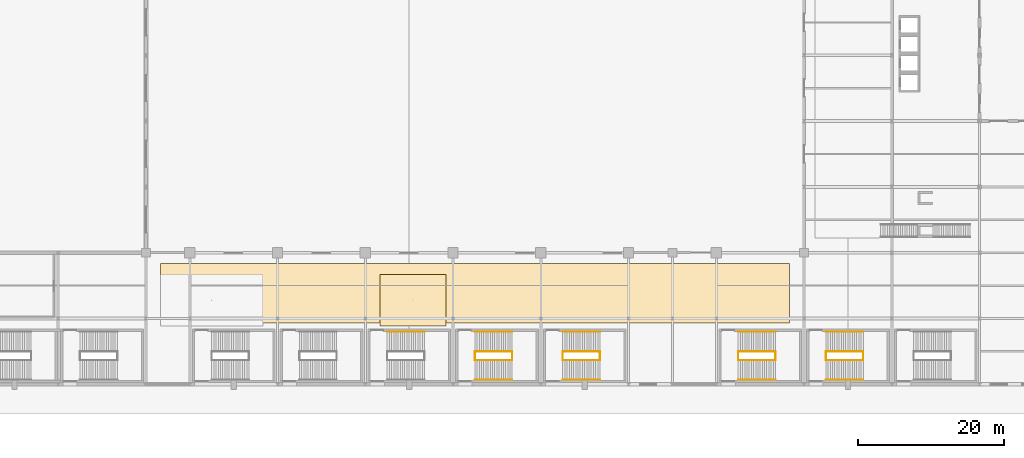
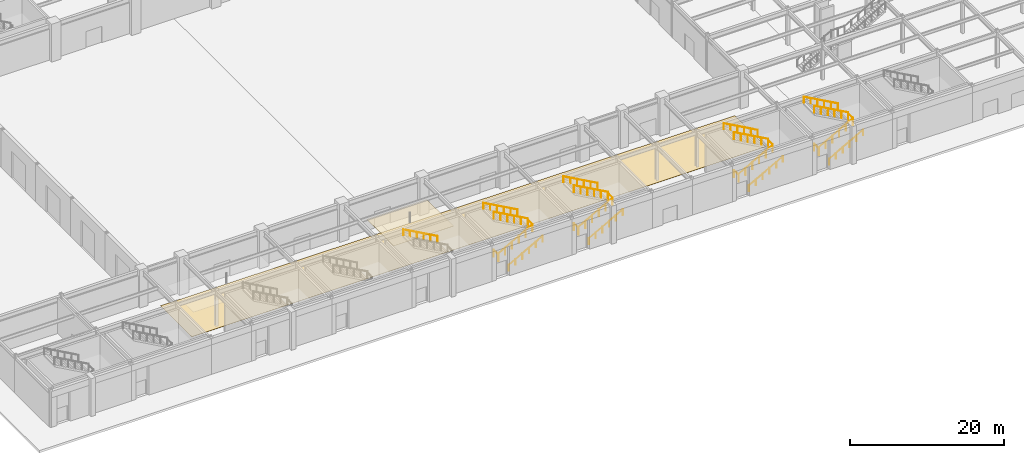
# One storey, part 37 of 44: 25 railings, 2 coverings.
"""IFC4 building model written with IfcOpenShell, lengths in metres."""

from ifc_helpers import new_model, si_unit, direction, frame, origin, origin_2d, place, context, subcontext, project, spatial, polyline, circle, outline, extrude, material, layer, layer_set, type_object, element, save


model = new_model("IFC4")

# Units and contexts
model_context = context("Model", 3, precision=1e-05, world=origin(), true_north=direction((0.0, 1.0)))
body_context = subcontext(model_context, "Body", "Model", "MODEL_VIEW")
ifc_project = project(units=[si_unit("LENGTHUNIT", "METRE"), si_unit("AREAUNIT", "SQUARE_METRE"), si_unit("VOLUMEUNIT", "CUBIC_METRE"), si_unit("PLANEANGLEUNIT", "RADIAN"), si_unit("MASSUNIT", "GRAM", prefix="KILO")], contexts=[model_context])

# Site, building, storey
site_placement = place(None, origin())
site = spatial("IfcSite", under=ifc_project, at=site_placement, CompositionType="ELEMENT")
building_placement = place(site_placement, origin())
building = spatial("IfcBuilding", under=site, at=building_placement, Name="Kaldorvane Square Convention Centre", CompositionType="ELEMENT")
storey_placement = place(building_placement, origin())
storey = spatial("IfcBuildingStorey", under=building, at=storey_placement, Name="L00", CompositionType="ELEMENT", Elevation=0.0)

# Coverings
ifc_material_1 = material(Name="Perforated Acoustic Mineral Fiber Ceiling")
ifc_layer_1 = layer(ifc_material_1, 0.0399932861328125)
ifc_layer_set_1 = layer_set([ifc_layer_1], Name="Perforated Acoustic Mineral Fiber Ceiling")
covering_type_1 = type_object("IfcCoveringType", Name="CV-CEIL-040", PredefinedType="CEILING", material=ifc_layer_set_1)
covering_1_placement = place(storey_placement, frame((0.0, 0.0, 4.100006103515625)))
element("IfcCovering", 1, at=covering_1_placement, inside=storey, type_object=covering_type_1, Name="Acoustic Ceiling Canopy 02 (L00)", PredefinedType="CEILING", context=body_context, shape_type="SweptSolid", body=[
    extrude(outline(polyline([(56.0, 8.0), (65.0, 8.0), (65.0, 15.0), (56.0, 15.0), (56.0, 8.0)])), origin(), (0.0, 0.0, 1.0), 0.0399932861328125),
])
ifc_material_2 = material(Name="Polished Aggregate Terrazzo Flooring")
ifc_layer_2 = layer(ifc_material_2, 0.0200042724609375)
ifc_layer_set_2 = layer_set([ifc_layer_2], Name="Polished Aggregate Terrazzo Flooring")
covering_type_2 = type_object("IfcCoveringType", Name="CV-FLR-020", PredefinedType="FLOORING", material=ifc_layer_set_2)
covering_2_placement = place(storey_placement, origin())
element("IfcCovering", 2, at=covering_2_placement, inside=storey, type_object=covering_type_2, Name="South Square Promenade Terrazzo Floor", PredefinedType="FLOORING", context=body_context, shape_type="SweptSolid", body=[
    extrude(outline(polyline([(26.0, 8.399993896484375), (112.0, 8.399993896484375), (112.0, 16.5), (26.0, 16.5), (26.0, 8.399993896484375)])), origin(), (0.0, 0.0, 1.0), 0.0200042724609375),
])

# Railings
ifc_material_3 = material(Name="Architectural Painted Steel", Category="steel")
railing_type_1 = type_object("IfcRailingType", Name="RL-GUARD-1120", PredefinedType="BALUSTRADE", material=ifc_material_3)
for number, where, name in (
    (3, (68.99000549316406, 3.30999755859375, 0.0), "Convention Exit Stair C6 Floor Well Guard (L00)"),
    (4, (74.08999633789062, 3.30999755859375, 3.0), "Convention Exit Stair C6 Half-Landing Guard (L00)"),
):
    element("IfcRailing", number, at=place(storey_placement, frame(where)), inside=storey, type_object=railing_type_1, Name=name, PredefinedType="BALUSTRADE", context=body_context, shape_type="SweptSolid", body=[
        extrude(circle(Radius=0.0240020751953125, at=origin_2d()), frame((0.0, 0.0, 1.0959930419921875), z_axis=(0.0, 1.0, 0.0), x_axis=(-1.0, 0.0, 0.0)), (0.0, 0.0, 1.0), 1.19000244140625),
        extrude(circle(Radius=0.02099609375, at=origin_2d()), origin(), (0.0, 0.0, 1.0), 1.071990966796875),
        extrude(circle(Radius=0.02099609375, at=origin_2d()), frame((0.0, 1.19000244140625, 0.0)), (0.0, 0.0, 1.0), 1.071990966796875),
    ])
railing_1_placement = place(storey_placement, frame((68.99000549316406, 3.3000030517578125, 0.1666717529296875)))
element("IfcRailing", 5, at=railing_1_placement, inside=storey, type_object=railing_type_1, Name="Convention Exit Stair C6 Flight 1 Guard (L00)", PredefinedType="BALUSTRADE", context=body_context, shape_type="SweptSolid", body=[
    extrude(circle(Radius=0.0240020751953125, at=origin_2d()), frame((0.0, 0.0, 1.0959930419921875), z_axis=(0.874157276122, 0.0, 0.485642931179), x_axis=(0.0, 1.0, 0.0)), (0.0, 0.0, 1.0), 5.8341827392578125),
    extrude(circle(Radius=0.02099609375, at=origin_2d()), origin(), (0.0, 0.0, 1.0), 1.071990966796875),
    extrude(circle(Radius=0.02099609375, at=origin_2d()), frame((1.0200042724609375, 0.0, 0.5666656494140625)), (0.0, 0.0, 1.0), 1.071990966796875),
    extrude(circle(Radius=0.02099609375, at=origin_2d()), frame((2.0399932861328125, 0.0, 1.133331298828125)), (0.0, 0.0, 1.0), 1.071990966796875),
    extrude(circle(Radius=0.02099609375, at=origin_2d()), frame((3.05999755859375, 0.0, 1.6999969482421875)), (0.0, 0.0, 1.0), 1.071990966796875),
    extrude(circle(Radius=0.02099609375, at=origin_2d()), frame((4.079986572265625, 0.0, 2.26666259765625)), (0.0, 0.0, 1.0), 1.071990966796875),
    extrude(circle(Radius=0.02099609375, at=origin_2d()), frame((5.0999908447265625, 0.0, 2.8333282470703125)), (0.0, 0.0, 1.0), 1.071990966796875),
])
railing_2_placement = place(storey_placement, frame((74.08999633789062, 4.5099945068359375, 3.1666717529296875)))
element("IfcRailing", 6, at=railing_2_placement, inside=storey, type_object=railing_type_1, Name="Convention Exit Stair C6 Flight 2 Guard (L00)", PredefinedType="BALUSTRADE", context=body_context, shape_type="SweptSolid", body=[
    extrude(circle(Radius=0.0240020751953125, at=origin_2d()), frame((0.0, 0.0, 1.0959930419921875), z_axis=(-0.874157276122, 0.0, 0.485642931179), x_axis=(0.0, -1.0, 0.0)), (0.0, 0.0, 1.0), 5.8341827392578125),
    extrude(circle(Radius=0.02099609375, at=origin_2d()), origin(), (0.0, 0.0, 1.0), 1.071990966796875),
    extrude(circle(Radius=0.02099609375, at=origin_2d()), frame((-1.0200042724609375, 0.0, 0.5666656494140625)), (0.0, 0.0, 1.0), 1.071990966796875),
    extrude(circle(Radius=0.02099609375, at=origin_2d()), frame((-2.0399932861328125, 0.0, 1.133331298828125)), (0.0, 0.0, 1.0), 1.071990966796875),
    extrude(circle(Radius=0.02099609375, at=origin_2d()), frame((-3.05999755859375, 0.0, 1.6999969482421875)), (0.0, 0.0, 1.0), 1.071990966796875),
    extrude(circle(Radius=0.02099609375, at=origin_2d()), frame((-4.079986572265625, 0.0, 2.26666259765625)), (0.0, 0.0, 1.0), 1.071990966796875),
    extrude(circle(Radius=0.02099609375, at=origin_2d()), frame((-5.0999908447265625, 0.0, 2.8333282470703125)), (0.0, 0.0, 1.0), 1.071990966796875),
])
for number, where, name in (
    (7, (80.99000549316406, 3.30999755859375, 0.0), "Convention Exit Stair C7 Floor Well Guard (L00)"),
    (8, (86.08999633789062, 3.30999755859375, 3.0), "Convention Exit Stair C7 Half-Landing Guard (L00)"),
):
    element("IfcRailing", number, at=place(storey_placement, frame(where)), inside=storey, type_object=railing_type_1, Name=name, PredefinedType="BALUSTRADE", context=body_context, shape_type="SweptSolid", body=[
        extrude(circle(Radius=0.0240020751953125, at=origin_2d()), frame((0.0, 0.0, 1.0959930419921875), z_axis=(0.0, 1.0, 0.0), x_axis=(-1.0, 0.0, 0.0)), (0.0, 0.0, 1.0), 1.19000244140625),
        extrude(circle(Radius=0.02099609375, at=origin_2d()), origin(), (0.0, 0.0, 1.0), 1.071990966796875),
        extrude(circle(Radius=0.02099609375, at=origin_2d()), frame((0.0, 1.19000244140625, 0.0)), (0.0, 0.0, 1.0), 1.071990966796875),
    ])
railing_3_placement = place(storey_placement, frame((80.99000549316406, 3.3000030517578125, 0.1666717529296875)))
element("IfcRailing", 9, at=railing_3_placement, inside=storey, type_object=railing_type_1, Name="Convention Exit Stair C7 Flight 1 Guard (L00)", PredefinedType="BALUSTRADE", context=body_context, shape_type="SweptSolid", body=[
    extrude(circle(Radius=0.0240020751953125, at=origin_2d()), frame((0.0, 0.0, 1.0959930419921875), z_axis=(0.874157276122, 0.0, 0.485642931179), x_axis=(0.0, 1.0, 0.0)), (0.0, 0.0, 1.0), 5.8341827392578125),
    extrude(circle(Radius=0.02099609375, at=origin_2d()), origin(), (0.0, 0.0, 1.0), 1.071990966796875),
    extrude(circle(Radius=0.02099609375, at=origin_2d()), frame((1.0200042724609375, 0.0, 0.5666656494140625)), (0.0, 0.0, 1.0), 1.071990966796875),
    extrude(circle(Radius=0.02099609375, at=origin_2d()), frame((2.0399932861328125, 0.0, 1.133331298828125)), (0.0, 0.0, 1.0), 1.071990966796875),
    extrude(circle(Radius=0.02099609375, at=origin_2d()), frame((3.05999755859375, 0.0, 1.6999969482421875)), (0.0, 0.0, 1.0), 1.071990966796875),
    extrude(circle(Radius=0.02099609375, at=origin_2d()), frame((4.079986572265625, 0.0, 2.26666259765625)), (0.0, 0.0, 1.0), 1.071990966796875),
    extrude(circle(Radius=0.02099609375, at=origin_2d()), frame((5.0999908447265625, 0.0, 2.8333282470703125)), (0.0, 0.0, 1.0), 1.071990966796875),
])
railing_4_placement = place(storey_placement, frame((86.08999633789062, 4.5099945068359375, 3.1666717529296875)))
element("IfcRailing", 10, at=railing_4_placement, inside=storey, type_object=railing_type_1, Name="Convention Exit Stair C7 Flight 2 Guard (L00)", PredefinedType="BALUSTRADE", context=body_context, shape_type="SweptSolid", body=[
    extrude(circle(Radius=0.0240020751953125, at=origin_2d()), frame((0.0, 0.0, 1.0959930419921875), z_axis=(-0.874157276122, 0.0, 0.485642931179), x_axis=(0.0, -1.0, 0.0)), (0.0, 0.0, 1.0), 5.8341827392578125),
    extrude(circle(Radius=0.02099609375, at=origin_2d()), origin(), (0.0, 0.0, 1.0), 1.071990966796875),
    extrude(circle(Radius=0.02099609375, at=origin_2d()), frame((-1.0200042724609375, 0.0, 0.5666656494140625)), (0.0, 0.0, 1.0), 1.071990966796875),
    extrude(circle(Radius=0.02099609375, at=origin_2d()), frame((-2.0399932861328125, 0.0, 1.133331298828125)), (0.0, 0.0, 1.0), 1.071990966796875),
    extrude(circle(Radius=0.02099609375, at=origin_2d()), frame((-3.05999755859375, 0.0, 1.6999969482421875)), (0.0, 0.0, 1.0), 1.071990966796875),
    extrude(circle(Radius=0.02099609375, at=origin_2d()), frame((-4.079986572265625, 0.0, 2.26666259765625)), (0.0, 0.0, 1.0), 1.071990966796875),
    extrude(circle(Radius=0.02099609375, at=origin_2d()), frame((-5.0999908447265625, 0.0, 2.8333282470703125)), (0.0, 0.0, 1.0), 1.071990966796875),
])
for number, where, name in (
    (11, (104.99000549316406, 3.30999755859375, 0.0), "Convention Exit Stair C8 Floor Well Guard (L00)"),
    (12, (110.08999633789062, 3.30999755859375, 3.0), "Convention Exit Stair C8 Half-Landing Guard (L00)"),
):
    element("IfcRailing", number, at=place(storey_placement, frame(where)), inside=storey, type_object=railing_type_1, Name=name, PredefinedType="BALUSTRADE", context=body_context, shape_type="SweptSolid", body=[
        extrude(circle(Radius=0.0240020751953125, at=origin_2d()), frame((0.0, 0.0, 1.0959930419921875), z_axis=(0.0, 1.0, 0.0), x_axis=(-1.0, 0.0, 0.0)), (0.0, 0.0, 1.0), 1.19000244140625),
        extrude(circle(Radius=0.02099609375, at=origin_2d()), origin(), (0.0, 0.0, 1.0), 1.071990966796875),
        extrude(circle(Radius=0.02099609375, at=origin_2d()), frame((0.0, 1.19000244140625, 0.0)), (0.0, 0.0, 1.0), 1.071990966796875),
    ])
railing_5_placement = place(storey_placement, frame((104.99000549316406, 3.3000030517578125, 0.1666717529296875)))
element("IfcRailing", 13, at=railing_5_placement, inside=storey, type_object=railing_type_1, Name="Convention Exit Stair C8 Flight 1 Guard (L00)", PredefinedType="BALUSTRADE", context=body_context, shape_type="SweptSolid", body=[
    extrude(circle(Radius=0.0240020751953125, at=origin_2d()), frame((0.0, 0.0, 1.0959930419921875), z_axis=(0.874157276122, 0.0, 0.485642931179), x_axis=(0.0, 1.0, 0.0)), (0.0, 0.0, 1.0), 5.8341827392578125),
    extrude(circle(Radius=0.02099609375, at=origin_2d()), origin(), (0.0, 0.0, 1.0), 1.071990966796875),
    extrude(circle(Radius=0.02099609375, at=origin_2d()), frame((1.0200042724609375, 0.0, 0.5666656494140625)), (0.0, 0.0, 1.0), 1.071990966796875),
    extrude(circle(Radius=0.02099609375, at=origin_2d()), frame((2.0399932861328125, 0.0, 1.133331298828125)), (0.0, 0.0, 1.0), 1.071990966796875),
    extrude(circle(Radius=0.02099609375, at=origin_2d()), frame((3.05999755859375, 0.0, 1.6999969482421875)), (0.0, 0.0, 1.0), 1.071990966796875),
    extrude(circle(Radius=0.02099609375, at=origin_2d()), frame((4.079986572265625, 0.0, 2.26666259765625)), (0.0, 0.0, 1.0), 1.071990966796875),
    extrude(circle(Radius=0.02099609375, at=origin_2d()), frame((5.0999908447265625, 0.0, 2.8333282470703125)), (0.0, 0.0, 1.0), 1.071990966796875),
])
railing_6_placement = place(storey_placement, frame((110.08999633789062, 4.5099945068359375, 3.1666717529296875)))
element("IfcRailing", 14, at=railing_6_placement, inside=storey, type_object=railing_type_1, Name="Convention Exit Stair C8 Flight 2 Guard (L00)", PredefinedType="BALUSTRADE", context=body_context, shape_type="SweptSolid", body=[
    extrude(circle(Radius=0.0240020751953125, at=origin_2d()), frame((0.0, 0.0, 1.0959930419921875), z_axis=(-0.874157276122, 0.0, 0.485642931179), x_axis=(0.0, -1.0, 0.0)), (0.0, 0.0, 1.0), 5.8341827392578125),
    extrude(circle(Radius=0.02099609375, at=origin_2d()), origin(), (0.0, 0.0, 1.0), 1.071990966796875),
    extrude(circle(Radius=0.02099609375, at=origin_2d()), frame((-1.0200042724609375, 0.0, 0.5666656494140625)), (0.0, 0.0, 1.0), 1.071990966796875),
    extrude(circle(Radius=0.02099609375, at=origin_2d()), frame((-2.0399932861328125, 0.0, 1.133331298828125)), (0.0, 0.0, 1.0), 1.071990966796875),
    extrude(circle(Radius=0.02099609375, at=origin_2d()), frame((-3.05999755859375, 0.0, 1.6999969482421875)), (0.0, 0.0, 1.0), 1.071990966796875),
    extrude(circle(Radius=0.02099609375, at=origin_2d()), frame((-4.079986572265625, 0.0, 2.26666259765625)), (0.0, 0.0, 1.0), 1.071990966796875),
    extrude(circle(Radius=0.02099609375, at=origin_2d()), frame((-5.0999908447265625, 0.0, 2.8333282470703125)), (0.0, 0.0, 1.0), 1.071990966796875),
])
for number, where, name in (
    (15, (116.99000549316406, 3.30999755859375, 0.0), "Convention Exit Stair C9 Floor Well Guard (L00)"),
    (16, (122.08999633789062, 3.30999755859375, 3.0), "Convention Exit Stair C9 Half-Landing Guard (L00)"),
):
    element("IfcRailing", number, at=place(storey_placement, frame(where)), inside=storey, type_object=railing_type_1, Name=name, PredefinedType="BALUSTRADE", context=body_context, shape_type="SweptSolid", body=[
        extrude(circle(Radius=0.0240020751953125, at=origin_2d()), frame((0.0, 0.0, 1.0959930419921875), z_axis=(0.0, 1.0, 0.0), x_axis=(-1.0, 0.0, 0.0)), (0.0, 0.0, 1.0), 1.19000244140625),
        extrude(circle(Radius=0.02099609375, at=origin_2d()), origin(), (0.0, 0.0, 1.0), 1.071990966796875),
        extrude(circle(Radius=0.02099609375, at=origin_2d()), frame((0.0, 1.19000244140625, 0.0)), (0.0, 0.0, 1.0), 1.071990966796875),
    ])
railing_7_placement = place(storey_placement, frame((116.99000549316406, 3.3000030517578125, 0.1666717529296875)))
element("IfcRailing", 17, at=railing_7_placement, inside=storey, type_object=railing_type_1, Name="Convention Exit Stair C9 Flight 1 Guard (L00)", PredefinedType="BALUSTRADE", context=body_context, shape_type="SweptSolid", body=[
    extrude(circle(Radius=0.0240020751953125, at=origin_2d()), frame((0.0, 0.0, 1.0959930419921875), z_axis=(0.874157276122, 0.0, 0.485642931179), x_axis=(0.0, 1.0, 0.0)), (0.0, 0.0, 1.0), 5.8341827392578125),
    extrude(circle(Radius=0.02099609375, at=origin_2d()), origin(), (0.0, 0.0, 1.0), 1.071990966796875),
    extrude(circle(Radius=0.02099609375, at=origin_2d()), frame((1.0200042724609375, 0.0, 0.5666656494140625)), (0.0, 0.0, 1.0), 1.071990966796875),
    extrude(circle(Radius=0.02099609375, at=origin_2d()), frame((2.0399932861328125, 0.0, 1.133331298828125)), (0.0, 0.0, 1.0), 1.071990966796875),
    extrude(circle(Radius=0.02099609375, at=origin_2d()), frame((3.05999755859375, 0.0, 1.6999969482421875)), (0.0, 0.0, 1.0), 1.071990966796875),
    extrude(circle(Radius=0.02099609375, at=origin_2d()), frame((4.079986572265625, 0.0, 2.26666259765625)), (0.0, 0.0, 1.0), 1.071990966796875),
    extrude(circle(Radius=0.02099609375, at=origin_2d()), frame((5.0999908447265625, 0.0, 2.8333282470703125)), (0.0, 0.0, 1.0), 1.071990966796875),
])
railing_8_placement = place(storey_placement, frame((122.08999633789062, 4.5099945068359375, 3.1666717529296875)))
element("IfcRailing", 18, at=railing_8_placement, inside=storey, type_object=railing_type_1, Name="Convention Exit Stair C9 Flight 2 Guard (L00)", PredefinedType="BALUSTRADE", context=body_context, shape_type="SweptSolid", body=[
    extrude(circle(Radius=0.0240020751953125, at=origin_2d()), frame((0.0, 0.0, 1.0959930419921875), z_axis=(-0.874157276122, 0.0, 0.485642931179), x_axis=(0.0, -1.0, 0.0)), (0.0, 0.0, 1.0), 5.8341827392578125),
    extrude(circle(Radius=0.02099609375, at=origin_2d()), origin(), (0.0, 0.0, 1.0), 1.071990966796875),
    extrude(circle(Radius=0.02099609375, at=origin_2d()), frame((-1.0200042724609375, 0.0, 0.5666656494140625)), (0.0, 0.0, 1.0), 1.071990966796875),
    extrude(circle(Radius=0.02099609375, at=origin_2d()), frame((-2.0399932861328125, 0.0, 1.133331298828125)), (0.0, 0.0, 1.0), 1.071990966796875),
    extrude(circle(Radius=0.02099609375, at=origin_2d()), frame((-3.05999755859375, 0.0, 1.6999969482421875)), (0.0, 0.0, 1.0), 1.071990966796875),
    extrude(circle(Radius=0.02099609375, at=origin_2d()), frame((-4.079986572265625, 0.0, 2.26666259765625)), (0.0, 0.0, 1.0), 1.071990966796875),
    extrude(circle(Radius=0.02099609375, at=origin_2d()), frame((-5.0999908447265625, 0.0, 2.8333282470703125)), (0.0, 0.0, 1.0), 1.071990966796875),
])
railing_type_2 = type_object("IfcRailingType", Name="RL-HAND-915", PredefinedType="HANDRAIL", material=ifc_material_3)
railing_9_placement = place(storey_placement, frame((62.089996337890625, 7.19000244140625, 3.1666717529296875)))
element("IfcRailing", 19, at=railing_9_placement, inside=storey, type_object=railing_type_2, Name="Convention Exit Stair C5 Wall Handrail 2 (L00)", PredefinedType="HANDRAIL", context=body_context, shape_type="SweptSolid", body=[
    extrude(circle(Radius=0.0240020751953125, at=origin_2d()), frame((0.0, 0.0, 0.8909912109375), z_axis=(-0.874157276122, 0.0, 0.485642931179), x_axis=(0.0, -1.0, 0.0)), (0.0, 0.0, 1.0), 5.8341827392578125),
    extrude(circle(Radius=0.02099609375, at=origin_2d()), origin(), (0.0, 0.0, 1.0), 0.8669891357421875),
    extrude(circle(Radius=0.02099609375, at=origin_2d()), frame((-1.0200042724609375, 0.0, 0.5666656494140625)), (0.0, 0.0, 1.0), 0.8669891357421875),
    extrude(circle(Radius=0.02099609375, at=origin_2d()), frame((-2.0399932861328125, 0.0, 1.133331298828125)), (0.0, 0.0, 1.0), 0.8669891357421875),
    extrude(circle(Radius=0.02099609375, at=origin_2d()), frame((-3.05999755859375, 0.0, 1.6999969482421875)), (0.0, 0.0, 1.0), 0.8669891357421875),
    extrude(circle(Radius=0.02099609375, at=origin_2d()), frame((-4.079986572265625, 0.0, 2.26666259765625)), (0.0, 0.0, 1.0), 0.8669891357421875),
    extrude(circle(Radius=0.02099609375, at=origin_2d()), frame((-5.0999908447265625, 0.0, 2.8333282470703125)), (0.0, 0.0, 1.0), 0.8669891357421875),
])
railing_10_placement = place(storey_placement, frame((68.99000549316406, 0.6199951171875, 0.1666717529296875)))
element("IfcRailing", 20, at=railing_10_placement, inside=storey, type_object=railing_type_2, Name="Convention Exit Stair C6 Wall Handrail 1 (L00)", PredefinedType="HANDRAIL", context=body_context, shape_type="SweptSolid", body=[
    extrude(circle(Radius=0.0240020751953125, at=origin_2d()), frame((0.0, 0.0, 0.8909912109375), z_axis=(0.874157276122, 0.0, 0.485642931179), x_axis=(0.0, 1.0, 0.0)), (0.0, 0.0, 1.0), 5.8341827392578125),
    extrude(circle(Radius=0.02099609375, at=origin_2d()), origin(), (0.0, 0.0, 1.0), 0.8669891357421875),
    extrude(circle(Radius=0.02099609375, at=origin_2d()), frame((1.0200042724609375, 0.0, 0.5666656494140625)), (0.0, 0.0, 1.0), 0.8669891357421875),
    extrude(circle(Radius=0.02099609375, at=origin_2d()), frame((2.0399932861328125, 0.0, 1.133331298828125)), (0.0, 0.0, 1.0), 0.8669891357421875),
    extrude(circle(Radius=0.02099609375, at=origin_2d()), frame((3.05999755859375, 0.0, 1.6999969482421875)), (0.0, 0.0, 1.0), 0.8669891357421875),
    extrude(circle(Radius=0.02099609375, at=origin_2d()), frame((4.079986572265625, 0.0, 2.26666259765625)), (0.0, 0.0, 1.0), 0.8669891357421875),
    extrude(circle(Radius=0.02099609375, at=origin_2d()), frame((5.0999908447265625, 0.0, 2.8333282470703125)), (0.0, 0.0, 1.0), 0.8669891357421875),
])
railing_11_placement = place(storey_placement, frame((74.08999633789062, 7.19000244140625, 3.1666717529296875)))
element("IfcRailing", 21, at=railing_11_placement, inside=storey, type_object=railing_type_2, Name="Convention Exit Stair C6 Wall Handrail 2 (L00)", PredefinedType="HANDRAIL", context=body_context, shape_type="SweptSolid", body=[
    extrude(circle(Radius=0.0240020751953125, at=origin_2d()), frame((0.0, 0.0, 0.8909912109375), z_axis=(-0.874157276122, 0.0, 0.485642931179), x_axis=(0.0, -1.0, 0.0)), (0.0, 0.0, 1.0), 5.8341827392578125),
    extrude(circle(Radius=0.02099609375, at=origin_2d()), origin(), (0.0, 0.0, 1.0), 0.8669891357421875),
    extrude(circle(Radius=0.02099609375, at=origin_2d()), frame((-1.0200042724609375, 0.0, 0.5666656494140625)), (0.0, 0.0, 1.0), 0.8669891357421875),
    extrude(circle(Radius=0.02099609375, at=origin_2d()), frame((-2.0399932861328125, 0.0, 1.133331298828125)), (0.0, 0.0, 1.0), 0.8669891357421875),
    extrude(circle(Radius=0.02099609375, at=origin_2d()), frame((-3.05999755859375, 0.0, 1.6999969482421875)), (0.0, 0.0, 1.0), 0.8669891357421875),
    extrude(circle(Radius=0.02099609375, at=origin_2d()), frame((-4.079986572265625, 0.0, 2.26666259765625)), (0.0, 0.0, 1.0), 0.8669891357421875),
    extrude(circle(Radius=0.02099609375, at=origin_2d()), frame((-5.0999908447265625, 0.0, 2.8333282470703125)), (0.0, 0.0, 1.0), 0.8669891357421875),
])
railing_12_placement = place(storey_placement, frame((80.99000549316406, 0.6199951171875, 0.1666717529296875)))
element("IfcRailing", 22, at=railing_12_placement, inside=storey, type_object=railing_type_2, Name="Convention Exit Stair C7 Wall Handrail 1 (L00)", PredefinedType="HANDRAIL", context=body_context, shape_type="SweptSolid", body=[
    extrude(circle(Radius=0.0240020751953125, at=origin_2d()), frame((0.0, 0.0, 0.8909912109375), z_axis=(0.874157276122, 0.0, 0.485642931179), x_axis=(0.0, 1.0, 0.0)), (0.0, 0.0, 1.0), 5.8341827392578125),
    extrude(circle(Radius=0.02099609375, at=origin_2d()), origin(), (0.0, 0.0, 1.0), 0.8669891357421875),
    extrude(circle(Radius=0.02099609375, at=origin_2d()), frame((1.0200042724609375, 0.0, 0.5666656494140625)), (0.0, 0.0, 1.0), 0.8669891357421875),
    extrude(circle(Radius=0.02099609375, at=origin_2d()), frame((2.0399932861328125, 0.0, 1.133331298828125)), (0.0, 0.0, 1.0), 0.8669891357421875),
    extrude(circle(Radius=0.02099609375, at=origin_2d()), frame((3.05999755859375, 0.0, 1.6999969482421875)), (0.0, 0.0, 1.0), 0.8669891357421875),
    extrude(circle(Radius=0.02099609375, at=origin_2d()), frame((4.079986572265625, 0.0, 2.26666259765625)), (0.0, 0.0, 1.0), 0.8669891357421875),
    extrude(circle(Radius=0.02099609375, at=origin_2d()), frame((5.0999908447265625, 0.0, 2.8333282470703125)), (0.0, 0.0, 1.0), 0.8669891357421875),
])
railing_13_placement = place(storey_placement, frame((86.08999633789062, 7.19000244140625, 3.1666717529296875)))
element("IfcRailing", 23, at=railing_13_placement, inside=storey, type_object=railing_type_2, Name="Convention Exit Stair C7 Wall Handrail 2 (L00)", PredefinedType="HANDRAIL", context=body_context, shape_type="SweptSolid", body=[
    extrude(circle(Radius=0.0240020751953125, at=origin_2d()), frame((0.0, 0.0, 0.8909912109375), z_axis=(-0.874157276122, 0.0, 0.485642931179), x_axis=(0.0, -1.0, 0.0)), (0.0, 0.0, 1.0), 5.8341827392578125),
    extrude(circle(Radius=0.02099609375, at=origin_2d()), origin(), (0.0, 0.0, 1.0), 0.8669891357421875),
    extrude(circle(Radius=0.02099609375, at=origin_2d()), frame((-1.0200042724609375, 0.0, 0.5666656494140625)), (0.0, 0.0, 1.0), 0.8669891357421875),
    extrude(circle(Radius=0.02099609375, at=origin_2d()), frame((-2.0399932861328125, 0.0, 1.133331298828125)), (0.0, 0.0, 1.0), 0.8669891357421875),
    extrude(circle(Radius=0.02099609375, at=origin_2d()), frame((-3.05999755859375, 0.0, 1.6999969482421875)), (0.0, 0.0, 1.0), 0.8669891357421875),
    extrude(circle(Radius=0.02099609375, at=origin_2d()), frame((-4.079986572265625, 0.0, 2.26666259765625)), (0.0, 0.0, 1.0), 0.8669891357421875),
    extrude(circle(Radius=0.02099609375, at=origin_2d()), frame((-5.0999908447265625, 0.0, 2.8333282470703125)), (0.0, 0.0, 1.0), 0.8669891357421875),
])
railing_14_placement = place(storey_placement, frame((104.99000549316406, 0.6199951171875, 0.1666717529296875)))
element("IfcRailing", 24, at=railing_14_placement, inside=storey, type_object=railing_type_2, Name="Convention Exit Stair C8 Wall Handrail 1 (L00)", PredefinedType="HANDRAIL", context=body_context, shape_type="SweptSolid", body=[
    extrude(circle(Radius=0.0240020751953125, at=origin_2d()), frame((0.0, 0.0, 0.8909912109375), z_axis=(0.874157276122, 0.0, 0.485642931179), x_axis=(0.0, 1.0, 0.0)), (0.0, 0.0, 1.0), 5.8341827392578125),
    extrude(circle(Radius=0.02099609375, at=origin_2d()), origin(), (0.0, 0.0, 1.0), 0.8669891357421875),
    extrude(circle(Radius=0.02099609375, at=origin_2d()), frame((1.0200042724609375, 0.0, 0.5666656494140625)), (0.0, 0.0, 1.0), 0.8669891357421875),
    extrude(circle(Radius=0.02099609375, at=origin_2d()), frame((2.0399932861328125, 0.0, 1.133331298828125)), (0.0, 0.0, 1.0), 0.8669891357421875),
    extrude(circle(Radius=0.02099609375, at=origin_2d()), frame((3.05999755859375, 0.0, 1.6999969482421875)), (0.0, 0.0, 1.0), 0.8669891357421875),
    extrude(circle(Radius=0.02099609375, at=origin_2d()), frame((4.079986572265625, 0.0, 2.26666259765625)), (0.0, 0.0, 1.0), 0.8669891357421875),
    extrude(circle(Radius=0.02099609375, at=origin_2d()), frame((5.0999908447265625, 0.0, 2.8333282470703125)), (0.0, 0.0, 1.0), 0.8669891357421875),
])
railing_15_placement = place(storey_placement, frame((110.08999633789062, 7.19000244140625, 3.1666717529296875)))
element("IfcRailing", 25, at=railing_15_placement, inside=storey, type_object=railing_type_2, Name="Convention Exit Stair C8 Wall Handrail 2 (L00)", PredefinedType="HANDRAIL", context=body_context, shape_type="SweptSolid", body=[
    extrude(circle(Radius=0.0240020751953125, at=origin_2d()), frame((0.0, 0.0, 0.8909912109375), z_axis=(-0.874157276122, 0.0, 0.485642931179), x_axis=(0.0, -1.0, 0.0)), (0.0, 0.0, 1.0), 5.8341827392578125),
    extrude(circle(Radius=0.02099609375, at=origin_2d()), origin(), (0.0, 0.0, 1.0), 0.8669891357421875),
    extrude(circle(Radius=0.02099609375, at=origin_2d()), frame((-1.0200042724609375, 0.0, 0.5666656494140625)), (0.0, 0.0, 1.0), 0.8669891357421875),
    extrude(circle(Radius=0.02099609375, at=origin_2d()), frame((-2.0399932861328125, 0.0, 1.133331298828125)), (0.0, 0.0, 1.0), 0.8669891357421875),
    extrude(circle(Radius=0.02099609375, at=origin_2d()), frame((-3.05999755859375, 0.0, 1.6999969482421875)), (0.0, 0.0, 1.0), 0.8669891357421875),
    extrude(circle(Radius=0.02099609375, at=origin_2d()), frame((-4.079986572265625, 0.0, 2.26666259765625)), (0.0, 0.0, 1.0), 0.8669891357421875),
    extrude(circle(Radius=0.02099609375, at=origin_2d()), frame((-5.0999908447265625, 0.0, 2.8333282470703125)), (0.0, 0.0, 1.0), 0.8669891357421875),
])
railing_16_placement = place(storey_placement, frame((116.99000549316406, 0.6199951171875, 0.1666717529296875)))
element("IfcRailing", 26, at=railing_16_placement, inside=storey, type_object=railing_type_2, Name="Convention Exit Stair C9 Wall Handrail 1 (L00)", PredefinedType="HANDRAIL", context=body_context, shape_type="SweptSolid", body=[
    extrude(circle(Radius=0.0240020751953125, at=origin_2d()), frame((0.0, 0.0, 0.8909912109375), z_axis=(0.874157276122, 0.0, 0.485642931179), x_axis=(0.0, 1.0, 0.0)), (0.0, 0.0, 1.0), 5.8341827392578125),
    extrude(circle(Radius=0.02099609375, at=origin_2d()), origin(), (0.0, 0.0, 1.0), 0.8669891357421875),
    extrude(circle(Radius=0.02099609375, at=origin_2d()), frame((1.0200042724609375, 0.0, 0.5666656494140625)), (0.0, 0.0, 1.0), 0.8669891357421875),
    extrude(circle(Radius=0.02099609375, at=origin_2d()), frame((2.0399932861328125, 0.0, 1.133331298828125)), (0.0, 0.0, 1.0), 0.8669891357421875),
    extrude(circle(Radius=0.02099609375, at=origin_2d()), frame((3.05999755859375, 0.0, 1.6999969482421875)), (0.0, 0.0, 1.0), 0.8669891357421875),
    extrude(circle(Radius=0.02099609375, at=origin_2d()), frame((4.079986572265625, 0.0, 2.26666259765625)), (0.0, 0.0, 1.0), 0.8669891357421875),
    extrude(circle(Radius=0.02099609375, at=origin_2d()), frame((5.0999908447265625, 0.0, 2.8333282470703125)), (0.0, 0.0, 1.0), 0.8669891357421875),
])
railing_17_placement = place(storey_placement, frame((122.08999633789062, 7.19000244140625, 3.1666717529296875)))
element("IfcRailing", 27, at=railing_17_placement, inside=storey, type_object=railing_type_2, Name="Convention Exit Stair C9 Wall Handrail 2 (L00)", PredefinedType="HANDRAIL", context=body_context, shape_type="SweptSolid", body=[
    extrude(circle(Radius=0.0240020751953125, at=origin_2d()), frame((0.0, 0.0, 0.8909912109375), z_axis=(-0.874157276122, 0.0, 0.485642931179), x_axis=(0.0, -1.0, 0.0)), (0.0, 0.0, 1.0), 5.8341827392578125),
    extrude(circle(Radius=0.02099609375, at=origin_2d()), origin(), (0.0, 0.0, 1.0), 0.8669891357421875),
    extrude(circle(Radius=0.02099609375, at=origin_2d()), frame((-1.0200042724609375, 0.0, 0.5666656494140625)), (0.0, 0.0, 1.0), 0.8669891357421875),
    extrude(circle(Radius=0.02099609375, at=origin_2d()), frame((-2.0399932861328125, 0.0, 1.133331298828125)), (0.0, 0.0, 1.0), 0.8669891357421875),
    extrude(circle(Radius=0.02099609375, at=origin_2d()), frame((-3.05999755859375, 0.0, 1.6999969482421875)), (0.0, 0.0, 1.0), 0.8669891357421875),
    extrude(circle(Radius=0.02099609375, at=origin_2d()), frame((-4.079986572265625, 0.0, 2.26666259765625)), (0.0, 0.0, 1.0), 0.8669891357421875),
    extrude(circle(Radius=0.02099609375, at=origin_2d()), frame((-5.0999908447265625, 0.0, 2.8333282470703125)), (0.0, 0.0, 1.0), 0.8669891357421875),
])

save(model, "model.ifc")
